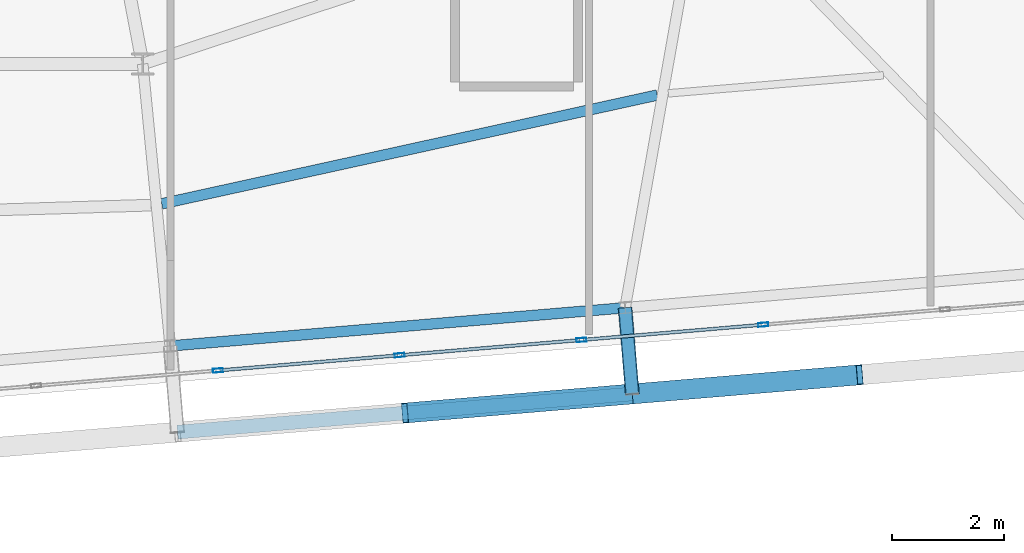
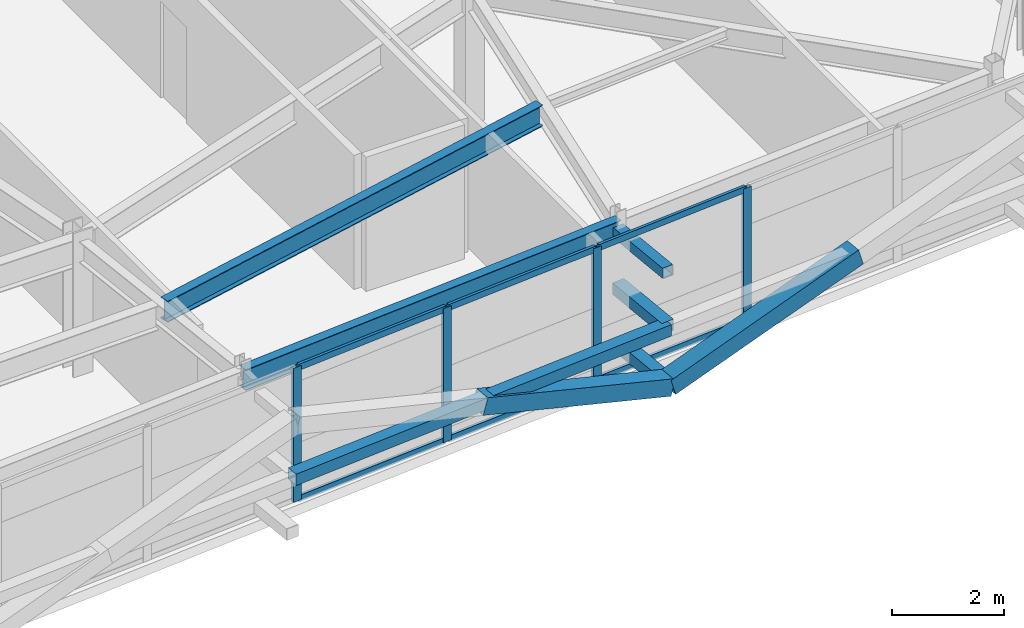
# One storey, part 19 of 46: 16 members, 2 beams, 1 element without a shape of its own.
"""IFC4 building model written with IfcOpenShell, lengths in metres."""

from ifc_helpers import new_model, si_unit, direction, frame, origin, origin_2d, place, context, subcontext, project, spatial, hollow_rectangle, i_section, extrude, source, transform, mapped, material, layer, layer_set, material_profile, profile_set, type_object, element, aggregate, save


model = new_model("IFC4")

# Units and contexts
model_context = context("Model", 3, precision=1e-05, world=origin(), true_north=direction((0.0, 1.0)))
body_context = subcontext(model_context, "Body", "Model", "MODEL_VIEW")
ifc_project = project(units=[si_unit("LENGTHUNIT", "METRE"), si_unit("AREAUNIT", "SQUARE_METRE"), si_unit("VOLUMEUNIT", "CUBIC_METRE"), si_unit("PLANEANGLEUNIT", "RADIAN"), si_unit("MASSUNIT", "GRAM", prefix="KILO")], contexts=[model_context])

# Site, building, storey
site_placement = place(None, origin())
site = spatial("IfcSite", under=ifc_project, at=site_placement, CompositionType="ELEMENT")
building_placement = place(site_placement, origin())
building = spatial("IfcBuilding", under=site, at=building_placement, Name="Taldren Reach Tower", CompositionType="ELEMENT")
storey_placement = place(building_placement, frame((0.0, 0.0, 185.14990234375)))
storey = spatial("IfcBuildingStorey", under=building, at=storey_placement, Name="L56", CompositionType="ELEMENT", Elevation=185.14990234375)

# Members
ifc_material_1 = material(Name="Steel Gr 350 (C350L0)", Category="steel")
ifc_material_profile_1 = material_profile(ifc_material_1, hollow_rectangle(XDim=0.25, YDim=0.25, WallThickness=0.010009765625, at=origin_2d()), Name="250x250x10.0SHS")
ifc_profile_set_1 = profile_set([ifc_material_profile_1], Name="Steel Gr 350 (C350L0)")
member_type_1 = type_object("IfcMemberType", Name="MB-POST250", PredefinedType="POST", material=ifc_profile_set_1)
shared_shape_1 = source(origin(), body_context, "Body", "SweptSolid", [
    extrude(hollow_rectangle(XDim=0.25, YDim=0.25, WallThickness=0.010009765625, at=origin_2d()), origin(), (0.0, 0.0, 1.0), 1.550048828125),
])
for number, where, z_axis, x_axis, name in (
    (1, (50.644775390625, 4.83203125, 0.22021484375), (0.083788408178, -0.996483568683, 0.0), (0.996483568683, 0.083788408178, 0.0), "Exoskeleton base diaphragm tie strut B4-S5 L56"),
    (2, (50.644775390625, 4.83203125, 1.43505859375), (0.083788408178, -0.996483568683, 0.0), (0.996483568683, 0.083788408178, 0.0), "Exoskeleton mid-tier diaphragm tie B4-S5 L56"),
):
    element("IfcMember", number, at=place(storey_placement, frame(where, z_axis=z_axis, x_axis=x_axis)), inside=storey, type_object=member_type_1, Name=name, PredefinedType="POST", context=body_context, shape_type="MappedRepresentation", body=[
        mapped(shared_shape_1, transform((0.0, 0.0, 0.0), scale=1.0)),
    ])

# Beams
ifc_material_2 = material(Name="Steel Gr 350 (350PLUS)", Category="steel")
ifc_material_profile_2 = material_profile(ifc_material_2, i_section(OverallWidth=0.18994140625, OverallDepth=0.4541015625, WebThickness=0.008544921875, FlangeThickness=0.0126953125, at=origin_2d()), Name="460UB67.1")
ifc_profile_set_2 = profile_set([ifc_material_profile_2], Name="Steel Gr 350 (350PLUS)")
beam_type_1 = type_object("IfcBeamType", Name="SP-UB460B", PredefinedType="SPANDREL", material=ifc_profile_set_2)
shared_shape_2 = source(origin(), body_context, "Body", "SweptSolid", [
    extrude(i_section(OverallWidth=0.18994140625, OverallDepth=0.4541015625, WebThickness=0.008544921875, FlangeThickness=0.0126953125, at=origin_2d()), origin(), (0.0, 0.0, 1.0), 8.179931640625),
])
beam_1_placement = place(storey_placement, frame((42.49365234375, 4.1474609375, 2.703125), z_axis=(0.99649182565, 0.08369015123, 0.0), x_axis=(-0.08369015123, 0.99649182565, 0.0)))
element("IfcBeam", 3, at=beam_1_placement, inside=storey, type_object=beam_type_1, Name="Perimeter spandrel B4 S4-S5 L56", PredefinedType="SPANDREL", context=body_context, shape_type="MappedRepresentation", body=[
    mapped(shared_shape_2, transform((0.0, 0.0, 0.0), scale=1.0)),
])
ifc_material_profile_3 = material_profile(ifc_material_2, i_section(OverallWidth=0.19091796875, OverallDepth=0.4599609375, WebThickness=0.010009765625, FlangeThickness=0.01611328125, at=origin_2d()), Name="460UB82.1")
ifc_profile_set_3 = profile_set([ifc_material_profile_3], Name="Steel Gr 350 (350PLUS)")
beam_type_2 = type_object("IfcBeamType", Name="BM-UB460A", PredefinedType="BEAM", material=ifc_profile_set_3)
shared_shape_3 = source(origin(), body_context, "Body", "SweptSolid", [
    extrude(i_section(OverallWidth=0.19091796875, OverallDepth=0.4599609375, WebThickness=0.010009765625, FlangeThickness=0.01611328125, at=origin_2d()), origin(), (0.0, 0.0, 1.0), 9.09228515625),
])
beam_2_placement = place(storey_placement, frame((42.3408203125, 6.6943359375, 2.7001953125), z_axis=(0.97674420602, 0.214407919647, 0.0), x_axis=(-0.214407919647, 0.97674420602, 0.0)))
element("IfcBeam", 4, at=beam_2_placement, inside=storey, type_object=beam_type_2, Name="Secondary floor beam B4 J4 L56", PredefinedType="BEAM", context=body_context, shape_type="MappedRepresentation", body=[
    mapped(shared_shape_3, transform((0.0, 0.0, 0.0), scale=1.0)),
])

# Members
ifc_material_3 = material(Name="Steel Gr 450 (C450L0)", Category="steel")
ifc_material_profile_4 = material_profile(ifc_material_3, hollow_rectangle(XDim=0.219970703125, YDim=0.219970703125, WallThickness=0.00830078125, at=origin_2d()), Name="220x220x8.2SHS")
ifc_profile_set_4 = profile_set([ifc_material_profile_4], Name="Steel Gr 450 (C450L0)")
member_type_2 = type_object("IfcMemberType", Name="MB-TIE219", PredefinedType="STRUT", material=ifc_profile_set_4)
shared_shape_4 = source(origin(), body_context, "Body", "SweptSolid", [
    extrude(hollow_rectangle(XDim=0.219970703125, YDim=0.219970703125, WallThickness=0.00830078125, at=origin_2d()), origin(), (0.0, 0.0, 1.0), 1.550048828125),
])
member_1_placement = place(storey_placement, frame((50.644775390625, 4.83203125, 2.650146484375), z_axis=(0.083788408178, -0.996483568683, 0.0), x_axis=(0.996483568683, 0.083788408178, 0.0)))
element("IfcMember", 5, at=member_1_placement, inside=storey, type_object=member_type_2, Name="Exoskeleton diaphragm tie strut B4-S5 L56", PredefinedType="STRUT", context=body_context, shape_type="MappedRepresentation", body=[
    mapped(shared_shape_4, transform((0.0, 0.0, 0.0), scale=1.0)),
])
shared_shape_5 = source(origin(), body_context, "Body", "SweptSolid", [
    extrude(hollow_rectangle(XDim=0.25, YDim=0.25, WallThickness=0.010009765625, at=origin_2d()), origin(), (0.0, 0.0, 1.0), 8.179931640625),
])
member_2_placement = place(storey_placement, frame((42.623291015625, 2.60302734375, 1.43505859375), z_axis=(0.996494523218, 0.083658025296, 0.0), x_axis=(-0.083658025296, 0.996494523218, 0.0)))
element("IfcMember", 6, at=member_2_placement, inside=storey, type_object=member_type_1, Name="Exoskeleton mid-height ring chord B4-S4 L56", PredefinedType="POST", context=body_context, shape_type="MappedRepresentation", body=[
    mapped(shared_shape_5, transform((0.0, 0.0, 0.0), scale=1.0)),
])
ifc_material_profile_5 = material_profile(ifc_material_3, hollow_rectangle(XDim=0.360107421875, YDim=0.360107421875, WallThickness=0.0126953125, at=origin_2d()), Name="360x360x12.7SHS")
ifc_profile_set_5 = profile_set([ifc_material_profile_5], Name="Steel Gr 450 (C450L0)")
member_type_3 = type_object("IfcMemberType", Name="MB-EXO356", PredefinedType="BRACE", material=ifc_profile_set_5)
shared_shape_6 = source(origin(), body_context, "Body", "SweptSolid", [
    extrude(hollow_rectangle(XDim=0.360107421875, YDim=0.360107421875, WallThickness=0.0126953125, at=origin_2d()), origin(), (0.0, 0.0, 1.0), 4.2666015625),
])
for number, where, z_axis, x_axis, name in (
    (7, (50.774658203125, 3.287353515625, 0.22021484375), (-0.955244723646, -0.080223619417, 0.284730906006), (0.083687662192, -0.996492034688, 0.0), "Exoskeleton Diagrid Brace B4-S4 L56"),
    (8, (50.774658203125, 3.287353515625, 0.22021484375), (0.955244723646, 0.080223619417, 0.284730906006), (-0.083687662192, 0.996492034688, 0.0), "Exoskeleton Diagrid Brace B4-S5 L56"),
):
    element("IfcMember", number, at=place(storey_placement, frame(where, z_axis=z_axis, x_axis=x_axis)), inside=storey, type_object=member_type_3, Name=name, PredefinedType="BRACE", context=body_context, shape_type="MappedRepresentation", body=[
        mapped(shared_shape_6, transform((0.0, 0.0, 0.0), scale=1.0)),
    ])

# Curtain wall, members
ifc_material_4 = material(Name="Aluminium and Low-E Glass Unitised System", Category="aluminium")
ifc_layer = layer(ifc_material_4, 0.159912109375)
ifc_layer_set = layer_set([ifc_layer], Name="Aluminium and Low-E Glass Unitised System")
curtain_wall_type = type_object("IfcCurtainWallType", Name="CW-SYS-5", PredefinedType="NOTDEFINED", material=ifc_layer_set)
curtain_wall_placement = place(storey_placement, origin())
curtain_wall = element("IfcCurtainWall", 9, at=curtain_wall_placement, inside=storey, type_object=curtain_wall_type, Name="Unitised curtain wall CW-L56-S", PredefinedType="NOTDEFINED")
ifc_material_5 = material(Name="Anodised Aluminium 6063-T6", Category="aluminium")
ifc_material_profile_6 = material_profile(ifc_material_5, hollow_rectangle(XDim=0.070068359375, YDim=0.179931640625, WallThickness=0.00390625, at=origin_2d()), Name="ALU-180x70x4RHS")
ifc_profile_set_6 = profile_set([ifc_material_profile_6], Name="Anodised Aluminium 6063-T6")
member_type_4 = type_object("IfcMemberType", Name="CW-MUL-180", PredefinedType="MULLION", material=ifc_profile_set_6)
shared_shape_7 = source(origin(), body_context, "Body", "SweptSolid", [
    extrude(hollow_rectangle(XDim=0.070068359375, YDim=0.179931640625, WallThickness=0.00390625, at=origin_2d()), origin(), (0.0, 0.0, 1.0), 2.93017578125),
])
member_3_placement = place(storey_placement, frame((43.34716796875, 3.707275390625, 0.0), z_axis=(0.0, 0.0, 1.0), x_axis=(-0.083677894865, 0.996492854922, 0.0)))
member_3 = element("IfcMember", 10, at=member_3_placement, type_object=member_type_4, Name="CW-5 mullion 9", PredefinedType="MULLION", context=body_context, shape_type="MappedRepresentation", body=[
    mapped(shared_shape_7, transform((0.0, 0.0, 0.0), scale=1.0)),
])
member_4_placement = place(storey_placement, frame((46.60498046875, 3.98095703125, 0.0), z_axis=(0.0, 0.0, 1.0), x_axis=(-0.083677894865, 0.996492854922, 0.0)))
member_4 = element("IfcMember", 11, at=member_4_placement, type_object=member_type_4, Name="CW-5 mullion 10", PredefinedType="MULLION", context=body_context, shape_type="MappedRepresentation", body=[
    mapped(shared_shape_7, transform((0.0, 0.0, 0.0), scale=1.0)),
])
member_5_placement = place(storey_placement, frame((49.86279296875, 4.25439453125, 0.0), z_axis=(0.0, 0.0, 1.0), x_axis=(-0.083677894865, 0.996492854922, 0.0)))
member_5 = element("IfcMember", 12, at=member_5_placement, type_object=member_type_4, Name="CW-5 mullion 11", PredefinedType="MULLION", context=body_context, shape_type="MappedRepresentation", body=[
    mapped(shared_shape_7, transform((0.0, 0.0, 0.0), scale=1.0)),
])
member_6_placement = place(storey_placement, frame((53.12060546875, 4.528076171875, 0.0), z_axis=(0.0, 0.0, 1.0), x_axis=(-0.083677894865, 0.996492854922, 0.0)))
member_6 = element("IfcMember", 13, at=member_6_placement, type_object=member_type_4, Name="CW-5 mullion 12", PredefinedType="MULLION", context=body_context, shape_type="MappedRepresentation", body=[
    mapped(shared_shape_7, transform((0.0, 0.0, 0.0), scale=1.0)),
])
ifc_material_profile_7 = material_profile(ifc_material_5, hollow_rectangle(XDim=0.06005859375, YDim=0.135009765625, WallThickness=0.00341796875, at=origin_2d()), Name="ALU-135x60x3.5RHS")
ifc_profile_set_7 = profile_set([ifc_material_profile_7], Name="Anodised Aluminium 6063-T6")
member_type_5 = type_object("IfcMemberType", Name="CW-TRN-150", PredefinedType="USERDEFINED", material=ifc_profile_set_7)
shared_shape_8 = source(origin(), body_context, "Body", "SweptSolid", [
    extrude(hollow_rectangle(XDim=0.06005859375, YDim=0.135009765625, WallThickness=0.00341796875, at=origin_2d()), origin(), (0.0, 0.0, 1.0), 3.19921875),
])
member_7_placement = place(storey_placement, frame((43.382080078125, 3.710205078125, 0.030029296875), z_axis=(0.996489746258, 0.083714906697, 0.0), x_axis=(-0.083714906697, 0.996489746258, 0.0)))
member_7 = element("IfcMember", 14, at=member_7_placement, type_object=member_type_5, Name="CW-5 transom 9.1", ObjectType="TRANSOM", PredefinedType="USERDEFINED", context=body_context, shape_type="MappedRepresentation", body=[
    mapped(shared_shape_8, transform((0.0, 0.0, 0.0), scale=1.0)),
])
member_8_placement = place(storey_placement, frame((43.382080078125, 3.710205078125, 2.900146484375), z_axis=(0.996489746258, 0.083714906697, 0.0), x_axis=(-0.083714906697, 0.996489746258, 0.0)))
member_8 = element("IfcMember", 15, at=member_8_placement, type_object=member_type_5, Name="CW-5 transom 9.2", ObjectType="TRANSOM", PredefinedType="USERDEFINED", context=body_context, shape_type="MappedRepresentation", body=[
    mapped(shared_shape_8, transform((0.0, 0.0, 0.0), scale=1.0)),
])
member_9_placement = place(storey_placement, frame((46.639892578125, 3.98388671875, 0.030029296875), z_axis=(0.996496109493, 0.083639128198, 0.0), x_axis=(-0.083639128198, 0.996496109493, 0.0)))
member_9 = element("IfcMember", 16, at=member_9_placement, type_object=member_type_5, Name="CW-5 transom 10.1", ObjectType="TRANSOM", PredefinedType="USERDEFINED", context=body_context, shape_type="MappedRepresentation", body=[
    mapped(shared_shape_8, transform((0.0, 0.0, 0.0), scale=1.0)),
])
member_10_placement = place(storey_placement, frame((46.639892578125, 3.98388671875, 2.900146484375), z_axis=(0.996496109493, 0.083639128198, 0.0), x_axis=(-0.083639128198, 0.996496109493, 0.0)))
member_10 = element("IfcMember", 17, at=member_10_placement, type_object=member_type_5, Name="CW-5 transom 10.2", ObjectType="TRANSOM", PredefinedType="USERDEFINED", context=body_context, shape_type="MappedRepresentation", body=[
    mapped(shared_shape_8, transform((0.0, 0.0, 0.0), scale=1.0)),
])
member_11_placement = place(storey_placement, frame((49.897705078125, 4.25732421875, 0.030029296875), z_axis=(0.996489746258, 0.083714906697, 0.0), x_axis=(-0.083714906697, 0.996489746258, 0.0)))
member_11 = element("IfcMember", 18, at=member_11_placement, type_object=member_type_5, Name="CW-5 transom 11.1", ObjectType="TRANSOM", PredefinedType="USERDEFINED", context=body_context, shape_type="MappedRepresentation", body=[
    mapped(shared_shape_8, transform((0.0, 0.0, 0.0), scale=1.0)),
])
member_12_placement = place(storey_placement, frame((49.897705078125, 4.25732421875, 2.900146484375), z_axis=(0.996489746258, 0.083714906697, 0.0), x_axis=(-0.083714906697, 0.996489746258, 0.0)))
member_12 = element("IfcMember", 19, at=member_12_placement, type_object=member_type_5, Name="CW-5 transom 11.2", ObjectType="TRANSOM", PredefinedType="USERDEFINED", context=body_context, shape_type="MappedRepresentation", body=[
    mapped(shared_shape_8, transform((0.0, 0.0, 0.0), scale=1.0)),
])
aggregate(curtain_wall, [member_3, member_4, member_5, member_6, member_7, member_8, member_9, member_10, member_11, member_12])

save(model, "model.ifc")
